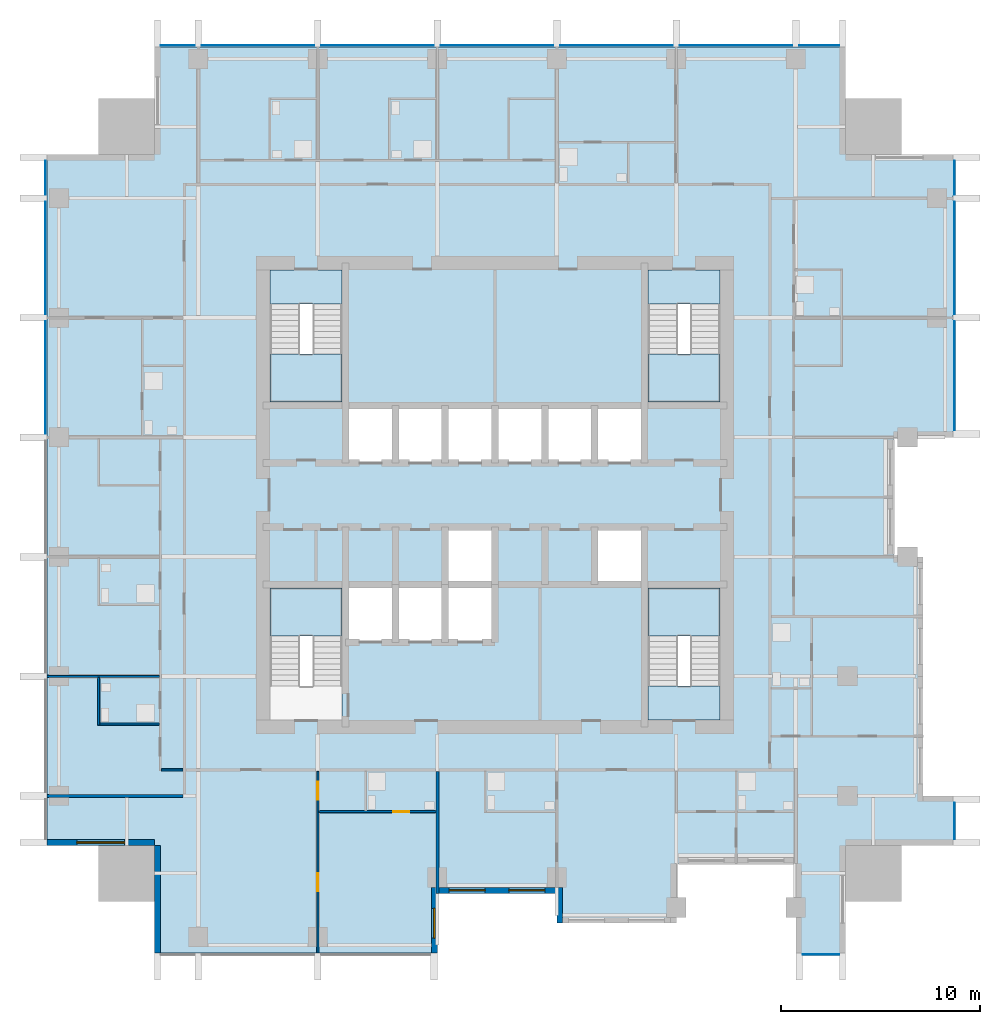
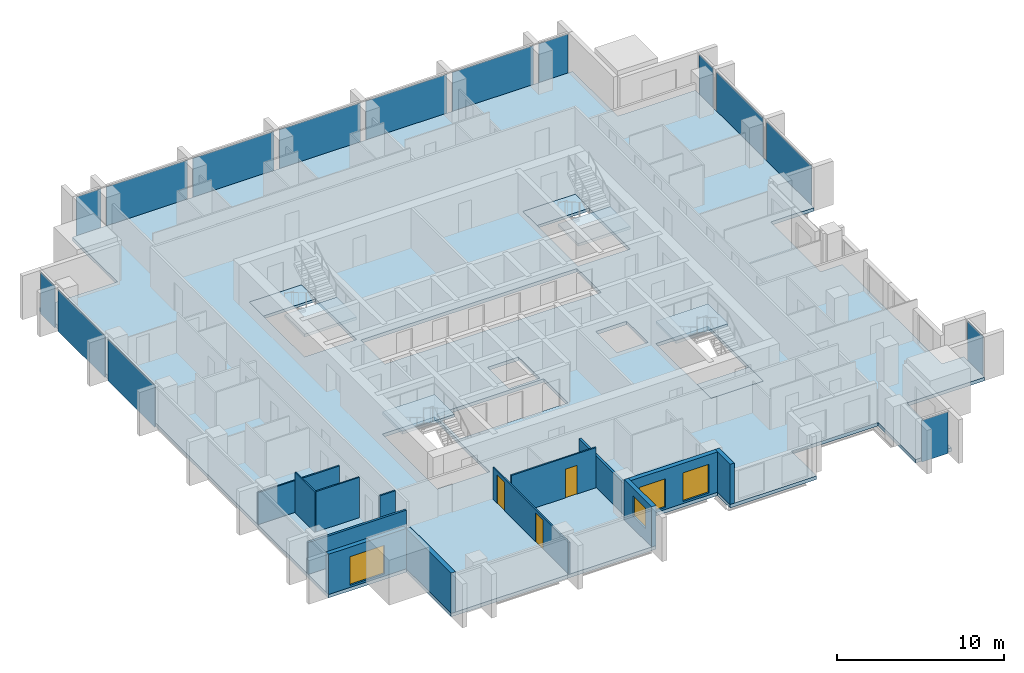
# One storey, part 3 of 10: 15 plates, 13 walls, 8 slabs, 4 windows, 3 doors, 7 openings, 9 elements without a shape of their own.
"""IFC4 building model written with IfcOpenShell, lengths in metres."""

from ifc_helpers import new_model, si_unit, direction, frame, frame_2d, origin, origin_2d, place, context, subcontext, project, spatial, polyline, rectangle, outline, extrude, material, layer, layer_set, type_object, element, fill, aggregate, save


model = new_model("IFC4")

# Units and contexts
model_context = context("Model", 3, precision=1e-05, world=origin(), true_north=direction((0.0, 1.0)))
body_context = subcontext(model_context, "Body", "Model", "MODEL_VIEW")
ifc_project = project(units=[si_unit("LENGTHUNIT", "METRE"), si_unit("AREAUNIT", "SQUARE_METRE"), si_unit("VOLUMEUNIT", "CUBIC_METRE"), si_unit("PLANEANGLEUNIT", "RADIAN"), si_unit("MASSUNIT", "GRAM", prefix="KILO")], contexts=[model_context])

# Site, building, storey
site_placement = place(None, origin())
site = spatial("IfcSite", under=ifc_project, at=site_placement, CompositionType="ELEMENT")
building_placement = place(site_placement, origin())
building = spatial("IfcBuilding", under=site, at=building_placement, Name="Amberfall Residences", CompositionType="ELEMENT")
storey_placement = place(building_placement, frame((0.0, 0.0, 174.699951171875)))
storey = spatial("IfcBuildingStorey", under=building, at=storey_placement, Name="L47", CompositionType="ELEMENT", Elevation=174.699951171875)

# Curtain wall, plate
ifc_material_1 = material(Name="Bronze anodised aluminium and glass", Category="aluminium")
curtain_wall_type = type_object("IfcCurtainWallType", Name="Curtain wall CW1 tower unit", PredefinedType="USERDEFINED", material=ifc_material_1)
curtain_wall_1_placement = place(storey_placement, origin())
curtain_wall_1 = element("IfcCurtainWall", 1, at=curtain_wall_1_placement, inside=storey, type_object=curtain_wall_type, Name="Curtain wall L47 S S9", ObjectType="UNITISED CURTAIN WALL", PredefinedType="USERDEFINED")
ifc_material_2 = material(Name="Tinted double glazed unit", Category="glass")
ifc_layer_1 = layer(ifc_material_2, 0.035888671875)
ifc_layer_set_1 = layer_set([ifc_layer_1], Name="CW1 panel 36 glazing")
plate_type = type_object("IfcPlateType", Name="CW1 panel 36 glazing", PredefinedType="CURTAIN_PANEL", material=ifc_layer_set_1)
plate_1_placement = place(storey_placement, frame((90.875, 22.425048828125, -0.25), z_axis=(0.0, 0.0, 1.0), x_axis=(1.0, 0.0, 0.0)))
plate_1 = element("IfcPlate", 2, at=plate_1_placement, type_object=plate_type, Name="CW1 panel 1.1", PredefinedType="CURTAIN_PANEL", context=body_context, shape_type="SweptSolid", body=[
    extrude(rectangle(XDim=1.825927734375, YDim=0.035888671875, at=origin_2d()), origin(), (0.0, 0.0, 1.0), 3.050048828125),
])
aggregate(curtain_wall_1, [plate_1])

curtain_wall_2_placement = place(storey_placement, origin())
curtain_wall_2 = element("IfcCurtainWall", 3, at=curtain_wall_2_placement, inside=storey, type_object=curtain_wall_type, Name="Curtain wall L47 E E1", ObjectType="UNITISED CURTAIN WALL", PredefinedType="USERDEFINED")
plate_2_placement = place(storey_placement, frame((97.574951171875, 29.125, -0.25), z_axis=(0.0, 0.0, 1.0), x_axis=(0.0, 1.0, 0.0)))
plate_2 = element("IfcPlate", 4, at=plate_2_placement, type_object=plate_type, Name="CW1 panel 1.1", PredefinedType="CURTAIN_PANEL", context=body_context, shape_type="SweptSolid", body=[
    extrude(rectangle(XDim=1.825927734375, YDim=0.035888671875, at=origin_2d()), origin(), (0.0, 0.0, 1.0), 3.050048828125),
])
aggregate(curtain_wall_2, [plate_2])

# Curtain wall, plates
curtain_wall_3_placement = place(storey_placement, origin())
curtain_wall_3 = element("IfcCurtainWall", 5, at=curtain_wall_3_placement, inside=storey, type_object=curtain_wall_type, Name="Curtain wall L47 E E8", ObjectType="UNITISED CURTAIN WALL", PredefinedType="USERDEFINED")
plate_3_placement = place(storey_placement, frame((97.574951171875, 51.487548828125, -0.25), z_axis=(0.0, 0.0, 1.0), x_axis=(0.0, 1.0, 0.0)))
plate_3 = element("IfcPlate", 6, at=plate_3_placement, type_object=plate_type, Name="CW1 panel 1.1", PredefinedType="CURTAIN_PANEL", context=body_context, shape_type="SweptSolid", body=[
    extrude(rectangle(XDim=5.450927734375, YDim=0.035888671875, at=origin_2d()), origin(), (0.0, 0.0, 1.0), 3.050048828125),
])
plate_4_placement = place(storey_placement, frame((97.574951171875, 57.39990234375, -0.25), z_axis=(0.0, 0.0, 1.0), x_axis=(0.0, 1.0, 0.0)))
plate_4 = element("IfcPlate", 7, at=plate_4_placement, type_object=plate_type, Name="CW1 panel 2.1", PredefinedType="CURTAIN_PANEL", context=body_context, shape_type="SweptSolid", body=[
    extrude(rectangle(XDim=5.6259765625, YDim=0.035888671875, at=origin_2d()), origin(), (0.0, 0.0, 1.0), 3.050048828125),
])
plate_5_placement = place(storey_placement, frame((97.574951171875, 61.4375, -0.25), z_axis=(0.0, 0.0, 1.0), x_axis=(0.0, 1.0, 0.0)))
plate_5 = element("IfcPlate", 8, at=plate_5_placement, type_object=plate_type, Name="CW1 panel 3.1", PredefinedType="CURTAIN_PANEL", context=body_context, shape_type="SweptSolid", body=[
    extrude(rectangle(XDim=1.700927734375, YDim=0.035888671875, at=origin_2d()), origin(), (0.0, 0.0, 1.0), 3.050048828125),
])
aggregate(curtain_wall_3, [plate_3, plate_4, plate_5])

curtain_wall_4_placement = place(storey_placement, origin())
curtain_wall_4 = element("IfcCurtainWall", 9, at=curtain_wall_4_placement, inside=storey, type_object=curtain_wall_type, Name="Curtain wall L47 N N1", ObjectType="UNITISED CURTAIN WALL", PredefinedType="USERDEFINED")
plate_6_placement = place(storey_placement, frame((90.78759765625, 68.074951171875, -0.25), z_axis=(0.0, 0.0, 1.0), x_axis=(-1.0, 0.0, 0.0)))
plate_6 = element("IfcPlate", 10, at=plate_6_placement, type_object=plate_type, Name="CW1 panel 1.1", PredefinedType="CURTAIN_PANEL", context=body_context, shape_type="SweptSolid", body=[
    extrude(rectangle(XDim=2.0009765625, YDim=0.035888671875, at=origin_2d()), origin(), (0.0, 0.0, 1.0), 3.050048828125),
])
plate_7_placement = place(storey_placement, frame((86.60009765625, 68.074951171875, -0.25), z_axis=(0.0, 0.0, 1.0), x_axis=(-1.0, 0.0, 0.0)))
plate_7 = element("IfcPlate", 11, at=plate_7_placement, type_object=plate_type, Name="CW1 panel 2.1", PredefinedType="CURTAIN_PANEL", context=body_context, shape_type="SweptSolid", body=[
    extrude(rectangle(XDim=5.6259765625, YDim=0.035888671875, at=origin_2d()), origin(), (0.0, 0.0, 1.0), 3.050048828125),
])
plate_8_placement = place(storey_placement, frame((80.60009765625, 68.074951171875, -0.25), z_axis=(0.0, 0.0, 1.0), x_axis=(-1.0, 0.0, 0.0)))
plate_8 = element("IfcPlate", 12, at=plate_8_placement, type_object=plate_type, Name="CW1 panel 3.1", PredefinedType="CURTAIN_PANEL", context=body_context, shape_type="SweptSolid", body=[
    extrude(rectangle(XDim=5.6259765625, YDim=0.035888671875, at=origin_2d()), origin(), (0.0, 0.0, 1.0), 3.050048828125),
])
plate_9_placement = place(storey_placement, frame((74.60009765625, 68.074951171875, -0.25), z_axis=(0.0, 0.0, 1.0), x_axis=(-1.0, 0.0, 0.0)))
plate_9 = element("IfcPlate", 13, at=plate_9_placement, type_object=plate_type, Name="CW1 panel 4.1", PredefinedType="CURTAIN_PANEL", context=body_context, shape_type="SweptSolid", body=[
    extrude(rectangle(XDim=5.6259765625, YDim=0.035888671875, at=origin_2d()), origin(), (0.0, 0.0, 1.0), 3.050048828125),
])
plate_10_placement = place(storey_placement, frame((68.60009765625, 68.074951171875, -0.25), z_axis=(0.0, 0.0, 1.0), x_axis=(-1.0, 0.0, 0.0)))
plate_10 = element("IfcPlate", 14, at=plate_10_placement, type_object=plate_type, Name="CW1 panel 5.1", PredefinedType="CURTAIN_PANEL", context=body_context, shape_type="SweptSolid", body=[
    extrude(rectangle(XDim=5.6259765625, YDim=0.035888671875, at=origin_2d()), origin(), (0.0, 0.0, 1.0), 3.050048828125),
])
plate_11_placement = place(storey_placement, frame((62.60009765625, 68.074951171875, -0.25), z_axis=(0.0, 0.0, 1.0), x_axis=(-1.0, 0.0, 0.0)))
plate_11 = element("IfcPlate", 15, at=plate_11_placement, type_object=plate_type, Name="CW1 panel 6.1", PredefinedType="CURTAIN_PANEL", context=body_context, shape_type="SweptSolid", body=[
    extrude(rectangle(XDim=5.6259765625, YDim=0.035888671875, at=origin_2d()), origin(), (0.0, 0.0, 1.0), 3.050048828125),
])
plate_12_placement = place(storey_placement, frame((58.5625, 68.074951171875, -0.25), z_axis=(0.0, 0.0, 1.0), x_axis=(-1.0, 0.0, 0.0)))
plate_12 = element("IfcPlate", 16, at=plate_12_placement, type_object=plate_type, Name="CW1 panel 7.1", PredefinedType="CURTAIN_PANEL", context=body_context, shape_type="SweptSolid", body=[
    extrude(rectangle(XDim=1.700927734375, YDim=0.035888671875, at=origin_2d()), origin(), (0.0, 0.0, 1.0), 3.050048828125),
])
aggregate(curtain_wall_4, [plate_6, plate_7, plate_8, plate_9, plate_10, plate_11, plate_12])

curtain_wall_5_placement = place(storey_placement, origin())
curtain_wall_5 = element("IfcCurtainWall", 17, at=curtain_wall_5_placement, inside=storey, type_object=curtain_wall_type, Name="Curtain wall L47 W W1", ObjectType="UNITISED CURTAIN WALL", PredefinedType="USERDEFINED")
plate_13_placement = place(storey_placement, frame((51.925048828125, 61.4375, -0.25), z_axis=(0.0, 0.0, 1.0), x_axis=(0.0, -1.0, 0.0)))
plate_13 = element("IfcPlate", 18, at=plate_13_placement, type_object=plate_type, Name="CW1 panel 1.1", PredefinedType="CURTAIN_PANEL", context=body_context, shape_type="SweptSolid", body=[
    extrude(rectangle(XDim=1.700927734375, YDim=0.035888671875, at=origin_2d()), origin(), (0.0, 0.0, 1.0), 3.050048828125),
])
plate_14_placement = place(storey_placement, frame((51.925048828125, 57.39990234375, -0.25), z_axis=(0.0, 0.0, 1.0), x_axis=(0.0, -1.0, 0.0)))
plate_14 = element("IfcPlate", 19, at=plate_14_placement, type_object=plate_type, Name="CW1 panel 2.1", PredefinedType="CURTAIN_PANEL", context=body_context, shape_type="SweptSolid", body=[
    extrude(rectangle(XDim=5.6259765625, YDim=0.035888671875, at=origin_2d()), origin(), (0.0, 0.0, 1.0), 3.050048828125),
])
plate_15_placement = place(storey_placement, frame((51.925048828125, 51.39990234375, -0.25), z_axis=(0.0, 0.0, 1.0), x_axis=(0.0, -1.0, 0.0)))
plate_15 = element("IfcPlate", 20, at=plate_15_placement, type_object=plate_type, Name="CW1 panel 3.1", PredefinedType="CURTAIN_PANEL", context=body_context, shape_type="SweptSolid", body=[
    extrude(rectangle(XDim=5.6259765625, YDim=0.035888671875, at=origin_2d()), origin(), (0.0, 0.0, 1.0), 3.050048828125),
])
aggregate(curtain_wall_5, [plate_13, plate_14, plate_15])

# Slab
ifc_material_3 = material(Name="Concrete C60", Category="concrete")
ifc_layer_2 = layer(ifc_material_3, 0.25)
ifc_layer_set_2 = layer_set([ifc_layer_2], Name="Floor slab 250 C60")
slab_type_1 = type_object("IfcSlabType", Name="Floor slab 250 C60", PredefinedType="FLOOR", material=ifc_layer_set_2)
slab_1_placement = place(storey_placement, frame((0.0, 0.0, -0.25)))
element("IfcSlab", 21, at=slab_1_placement, inside=storey, type_object=slab_type_1, Name="Floor slab S10 L47", PredefinedType="FLOOR", context=body_context, shape_type="SweptSolid", body=[
    extrude(outline(polyline([(89.60009765625, 22.5), (89.60009765625, 27.0), (83.60009765625, 27.0), (83.60009765625, 24.0), (77.60009765625, 24.0), (77.60009765625, 25.5), (71.60009765625, 25.5), (71.60009765625, 22.5), (57.39990234375, 22.5), (57.39990234375, 27.89990234375), (52.0, 27.89990234375), (52.0, 62.60009765625), (57.39990234375, 62.60009765625), (57.39990234375, 68.0), (92.10009765625, 68.0), (92.10009765625, 62.60009765625), (97.5, 62.60009765625), (97.5, 48.39990234375), (94.5, 48.39990234375), (94.5, 42.39990234375), (96.0, 42.39990234375), (96.0, 36.39990234375), (96.0, 30.39990234375), (97.5, 30.39990234375), (97.5, 27.89990234375), (92.10009765625, 27.89990234375), (92.10009765625, 22.5), (89.60009765625, 22.5)]), holes=[polyline([(85.800048828125, 34.199951171875), (85.800048828125, 40.824951171875), (82.175048828125, 40.824951171875), (82.175048828125, 34.199951171875), (85.800048828125, 34.199951171875)]), polyline([(85.800048828125, 50.175048828125), (85.800048828125, 56.800048828125), (82.175048828125, 56.800048828125), (82.175048828125, 50.175048828125), (85.800048828125, 50.175048828125)]), polyline([(72.0, 50.0), (69.5, 50.0), (67.0, 50.0), (67.0, 47.10009765625), (69.5, 47.10009765625), (72.0, 47.10009765625), (74.5, 47.10009765625), (77.0, 47.10009765625), (79.5, 47.10009765625), (82.0, 47.10009765625), (82.0, 50.0), (79.5, 50.0), (77.0, 50.0), (74.5, 50.0), (72.0, 50.0)]), polyline([(81.824951171875, 41.175048828125), (81.824951171875, 43.72509765625), (79.675048828125, 43.72509765625), (79.675048828125, 41.175048828125), (81.824951171875, 41.175048828125)]), polyline([(69.5, 41.0), (67.0, 41.0), (67.0, 38.10009765625), (69.5, 38.10009765625), (72.0, 38.10009765625), (74.5, 38.10009765625), (74.5, 41.0), (72.0, 41.0), (69.5, 41.0)]), polyline([(74.324951171875, 41.175048828125), (74.324951171875, 43.72509765625), (72.175048828125, 43.72509765625), (72.175048828125, 41.175048828125), (74.324951171875, 41.175048828125)]), polyline([(66.824951171875, 50.175048828125), (66.824951171875, 56.800048828125), (63.199951171875, 56.800048828125), (63.199951171875, 50.175048828125), (66.824951171875, 50.175048828125)]), polyline([(66.824951171875, 40.824951171875), (63.199951171875, 40.824951171875), (63.199951171875, 34.199951171875), (66.824951171875, 34.199951171875), (66.824951171875, 40.824951171875)])]), origin(), (0.0, 0.0, 1.0), 0.25),
])

# Stair, slab
ifc_material_4 = material(Name="Concrete C40", Category="concrete")
stair_type = type_object("IfcStairType", Name="Exit stair 20 risers 165.0 mm", PredefinedType="HALF_TURN_STAIR", material=ifc_material_4)
stair_1_placement = place(storey_placement, origin())
stair_1 = element("IfcStair", 22, at=stair_1_placement, inside=storey, type_object=stair_type, Name="L47 Exit stair 1", PredefinedType="HALF_TURN_STAIR")
ifc_layer_3 = layer(ifc_material_4, 0.199951171875)
ifc_layer_set_3 = layer_set([ifc_layer_3], Name="Stair landing 200")
slab_type_2 = type_object("IfcSlabType", Name="Stair landing 200", PredefinedType="LANDING", material=ifc_layer_set_3)
slab_2_placement = place(storey_placement, frame((0.0, 0.0, 1.449951171875)))
slab_2 = element("IfcSlab", 23, at=slab_2_placement, type_object=slab_type_2, Name="ST3 landing 1", PredefinedType="LANDING", context=body_context, shape_type="SweptSolid", body=[
    extrude(outline(polyline([(66.824951171875, 38.419921875), (66.824951171875, 40.824951171875), (63.199951171875, 40.824951171875), (63.199951171875, 38.419921875), (66.824951171875, 38.419921875)])), origin(), (0.0, 0.0, 1.0), 0.2001953125),
])
aggregate(stair_1, [slab_2])

# Stair, slabs
stair_2_placement = place(storey_placement, origin())
stair_2 = element("IfcStair", 24, at=stair_2_placement, inside=storey, type_object=stair_type, Name="L47 Exit stair 2", PredefinedType="HALF_TURN_STAIR")
slab_3_placement = place(storey_placement, frame((0.0, 0.0, 1.449951171875)))
slab_3 = element("IfcSlab", 25, at=slab_3_placement, type_object=slab_type_2, Name="ST3 landing 1", PredefinedType="LANDING", context=body_context, shape_type="SweptSolid", body=[
    extrude(outline(polyline([(85.800048828125, 38.419921875), (85.800048828125, 40.824951171875), (82.175048828125, 40.824951171875), (82.175048828125, 38.419921875), (85.800048828125, 38.419921875)])), origin(), (0.0, 0.0, 1.0), 0.2001953125),
])
slab_4_placement = place(storey_placement, frame((0.0, 0.0, -0.199951171875)))
slab_4 = element("IfcSlab", 26, at=slab_4_placement, type_object=slab_type_2, Name="ST3 landing 2", PredefinedType="LANDING", context=body_context, shape_type="SweptSolid", body=[
    extrude(outline(polyline([(85.800048828125, 34.199951171875), (85.800048828125, 35.89990234375), (82.175048828125, 35.89990234375), (82.175048828125, 34.199951171875), (85.800048828125, 34.199951171875)])), origin(), (0.0, 0.0, 1.0), 0.199951171875),
])
aggregate(stair_2, [slab_3, slab_4])

stair_3_placement = place(storey_placement, origin())
stair_3 = element("IfcStair", 27, at=stair_3_placement, inside=storey, type_object=stair_type, Name="L47 Exit stair 3", PredefinedType="HALF_TURN_STAIR")
slab_5_placement = place(storey_placement, frame((0.0, 0.0, 1.449951171875)))
slab_5 = element("IfcSlab", 28, at=slab_5_placement, type_object=slab_type_2, Name="ST3 landing 1", PredefinedType="LANDING", context=body_context, shape_type="SweptSolid", body=[
    extrude(outline(polyline([(82.175048828125, 52.580078125), (82.175048828125, 50.175048828125), (85.800048828125, 50.175048828125), (85.800048828125, 52.580078125), (82.175048828125, 52.580078125)])), origin(), (0.0, 0.0, 1.0), 0.2001953125),
])
slab_6_placement = place(storey_placement, frame((0.0, 0.0, -0.199951171875)))
slab_6 = element("IfcSlab", 29, at=slab_6_placement, type_object=slab_type_2, Name="ST3 landing 2", PredefinedType="LANDING", context=body_context, shape_type="SweptSolid", body=[
    extrude(outline(polyline([(82.175048828125, 56.800048828125), (82.175048828125, 55.10009765625), (85.800048828125, 55.10009765625), (85.800048828125, 56.800048828125), (82.175048828125, 56.800048828125)])), origin(), (0.0, 0.0, 1.0), 0.199951171875),
])
aggregate(stair_3, [slab_5, slab_6])

stair_4_placement = place(storey_placement, origin())
stair_4 = element("IfcStair", 30, at=stair_4_placement, inside=storey, type_object=stair_type, Name="L47 Exit stair 4", PredefinedType="HALF_TURN_STAIR")
slab_7_placement = place(storey_placement, frame((0.0, 0.0, 1.449951171875)))
slab_7 = element("IfcSlab", 31, at=slab_7_placement, type_object=slab_type_2, Name="ST3 landing 1", PredefinedType="LANDING", context=body_context, shape_type="SweptSolid", body=[
    extrude(outline(polyline([(63.199951171875, 52.580078125), (63.199951171875, 50.175048828125), (66.824951171875, 50.175048828125), (66.824951171875, 52.580078125), (63.199951171875, 52.580078125)])), origin(), (0.0, 0.0, 1.0), 0.2001953125),
])
slab_8_placement = place(storey_placement, frame((0.0, 0.0, -0.199951171875)))
slab_8 = element("IfcSlab", 32, at=slab_8_placement, type_object=slab_type_2, Name="ST3 landing 2", PredefinedType="LANDING", context=body_context, shape_type="SweptSolid", body=[
    extrude(outline(polyline([(63.199951171875, 56.800048828125), (63.199951171875, 55.10009765625), (66.824951171875, 55.10009765625), (66.824951171875, 56.800048828125), (63.199951171875, 56.800048828125)])), origin(), (0.0, 0.0, 1.0), 0.199951171875),
])
aggregate(stair_4, [slab_7, slab_8])

# Wall, opening, window
ifc_material_5 = material(Name="Pale stone cladding on insulated backing", Category="masonry")
ifc_layer_4 = layer(ifc_material_5, 0.300048828125)
ifc_layer_set_4 = layer_set([ifc_layer_4], Name="Bronze clad wall 300")
wall_type_1 = type_object("IfcWallType", Name="Bronze clad wall 300", PredefinedType="SOLIDWALL", material=ifc_layer_set_4)
wall_1_placement = place(storey_placement, frame((71.449951171875, 22.5, 0.0), z_axis=(0.0, 0.0, 1.0), x_axis=(0.0, 1.0, 0.0)))
wall_1 = element("IfcWall", 33, at=wall_1_placement, inside=storey, type_object=wall_type_1, Name="External wall L47 S", PredefinedType="SOLIDWALL", context=body_context, shape_type="SweptSolid", body=[
    extrude(rectangle(XDim=3.300048828125, YDim=0.300048828125, at=frame_2d((1.64990234375, 0.0))), origin(), (0.0, 0.0, 1.0), 2.949951171875),
])
opening_1_placement = place(wall_1_placement, frame((0.75, 0.0, 0.89990234375)))
opening_1 = element("IfcOpeningElement", 34, at=opening_1_placement, cuts=wall_1, Name="Opening WN1", PredefinedType="OPENING", context=body_context, shape_type="SweptSolid", body=[
    extrude(rectangle(XDim=1.5, YDim=1.5, at=frame_2d((0.75, 0.75))), frame((0.0, 0.159912109375, 0.0), z_axis=(0.0, -1.0, 0.0), x_axis=(1.0, 0.0, 0.0)), (0.0, 0.0, 1.0), 0.320068359375),
])
ifc_material_6 = material(Name="Bronze aluminium framed glazing", Category="aluminium")
window_type_1 = type_object("IfcWindowType", Name="Window 1500 x 1500 bronze", PartitioningType="DOUBLE_PANEL_VERTICAL", PredefinedType="WINDOW", material=ifc_material_6)
window_1_placement = place(opening_1_placement, origin())
window_1 = element("IfcWindow", 35, at=window_1_placement, inside=storey, type_object=window_type_1, Name="Window L47 S", OverallHeight=1.5, OverallWidth=1.5, PartitioningType="DOUBLE_PANEL_VERTICAL", PredefinedType="WINDOW", context=body_context, shape_type="SweptSolid", body=[
    extrude(rectangle(XDim=1.5, YDim=1.5, at=frame_2d((0.75, 0.75))), frame((0.0, 0.030029296875, 0.0), z_axis=(0.0, -1.0, 0.0), x_axis=(1.0, 0.0, 0.0)), (0.0, 0.0, 1.0), 0.06005859375),
])
fill(opening_1, window_1)

# Wall
wall_2_placement = place(storey_placement, frame((77.75, 25.800048828125, 0.0), z_axis=(0.0, 0.0, 1.0), x_axis=(0.0, -1.0, 0.0)))
element("IfcWall", 36, at=wall_2_placement, inside=storey, type_object=wall_type_1, Name="External wall L47 S", PredefinedType="SOLIDWALL", context=body_context, shape_type="SweptSolid", body=[
    extrude(rectangle(XDim=1.800048828125, YDim=0.300048828125, at=frame_2d((0.89990234375, 0.0))), origin(), (0.0, 0.0, 1.0), 2.949951171875),
])

# Wall, opening, window
wall_3_placement = place(storey_placement, frame((52.0, 28.050048828125, 0.0), z_axis=(0.0, 0.0, 1.0), x_axis=(1.0, 0.0, 0.0)))
wall_3 = element("IfcWall", 37, at=wall_3_placement, inside=storey, type_object=wall_type_1, Name="External wall L47 SW", PredefinedType="SOLIDWALL", context=body_context, shape_type="SweptSolid", body=[
    extrude(rectangle(XDim=5.39990234375, YDim=0.300048828125, at=frame_2d((2.699951171875, 0.0))), origin(), (0.0, 0.0, 1.0), 2.949951171875),
])
opening_2_placement = place(wall_3_placement, frame((1.5, 0.0, 0.14990234375)))
opening_2 = element("IfcOpeningElement", 38, at=opening_2_placement, cuts=wall_3, Name="Opening WN5", PredefinedType="OPENING", context=body_context, shape_type="SweptSolid", body=[
    extrude(rectangle(XDim=2.39990234375, YDim=2.10009765625, at=frame_2d((1.199951171875, 1.050048828125))), frame((0.0, 0.159912109375, 0.0), z_axis=(0.0, -1.0, 0.0), x_axis=(1.0, 0.0, 0.0)), (0.0, 0.0, 1.0), 0.320068359375),
])
window_type_2 = type_object("IfcWindowType", Name="Glazed opening 2400 x 2100 bronze", PartitioningType="DOUBLE_PANEL_VERTICAL", PredefinedType="WINDOW", material=ifc_material_6)
window_2_placement = place(opening_2_placement, origin())
window_2 = element("IfcWindow", 39, at=window_2_placement, inside=storey, type_object=window_type_2, Name="Window L47 SW", OverallHeight=2.10009765625, OverallWidth=2.39990234375, PartitioningType="DOUBLE_PANEL_VERTICAL", PredefinedType="WINDOW", context=body_context, shape_type="SweptSolid", body=[
    extrude(rectangle(XDim=2.39990234375, YDim=2.10009765625, at=frame_2d((1.199951171875, 1.050048828125))), frame((0.0, 0.030029296875, 0.0), z_axis=(0.0, -1.0, 0.0), x_axis=(1.0, 0.0, 0.0)), (0.0, 0.0, 1.0), 0.06005859375),
])
fill(opening_2, window_2)

# Wall
wall_4_placement = place(storey_placement, frame((57.550048828125, 27.89990234375, 0.0), z_axis=(0.0, 0.0, 1.0), x_axis=(0.0, -1.0, 0.0)))
element("IfcWall", 40, at=wall_4_placement, inside=storey, type_object=wall_type_1, Name="External wall L47 SW", PredefinedType="SOLIDWALL", context=body_context, shape_type="SweptSolid", body=[
    extrude(rectangle(XDim=5.39990234375, YDim=0.300048828125, at=frame_2d((2.699951171875, 0.0))), origin(), (0.0, 0.0, 1.0), 2.949951171875),
])

# Wall, openings, windows
wall_5_placement = place(storey_placement, frame((71.60009765625, 25.64990234375, 0.0), z_axis=(0.0, 0.0, 1.0), x_axis=(1.0, 0.0, 0.0)))
wall_5 = element("IfcWall", 41, at=wall_5_placement, inside=storey, type_object=wall_type_1, Name="Stone wall L47 S", PredefinedType="SOLIDWALL", context=body_context, shape_type="SweptSolid", body=[
    extrude(rectangle(XDim=6.0, YDim=0.300048828125, at=frame_2d((3.0, 0.0))), origin(), (0.0, 0.0, 1.0), 2.949951171875),
])
opening_3_placement = place(wall_5_placement, frame((0.60009765625, 0.0, 0.14990234375)))
opening_3 = element("IfcOpeningElement", 42, at=opening_3_placement, cuts=wall_5, Name="Opening WN6", PredefinedType="OPENING", context=body_context, shape_type="SweptSolid", body=[
    extrude(rectangle(XDim=1.800048828125, YDim=2.10009765625, at=frame_2d((0.89990234375, 1.050048828125))), frame((0.0, 0.159912109375, 0.0), z_axis=(0.0, -1.0, 0.0), x_axis=(1.0, 0.0, 0.0)), (0.0, 0.0, 1.0), 0.320068359375),
])
opening_4_placement = place(wall_5_placement, frame((3.60009765625, 0.0, 0.14990234375)))
opening_4 = element("IfcOpeningElement", 43, at=opening_4_placement, cuts=wall_5, Name="Opening WN6", PredefinedType="OPENING", context=body_context, shape_type="SweptSolid", body=[
    extrude(rectangle(XDim=1.800048828125, YDim=2.10009765625, at=frame_2d((0.89990234375, 1.050048828125))), frame((0.0, 0.159912109375, 0.0), z_axis=(0.0, -1.0, 0.0), x_axis=(1.0, 0.0, 0.0)), (0.0, 0.0, 1.0), 0.320068359375),
])
window_type_3 = type_object("IfcWindowType", Name="Glazed opening 1800 x 2100 bronze", PartitioningType="DOUBLE_PANEL_VERTICAL", PredefinedType="WINDOW", material=ifc_material_6)
window_3_placement = place(opening_3_placement, origin())
window_3 = element("IfcWindow", 44, at=window_3_placement, inside=storey, type_object=window_type_3, Name="Window L47 S", OverallHeight=2.10009765625, OverallWidth=1.800048828125, PartitioningType="DOUBLE_PANEL_VERTICAL", PredefinedType="WINDOW", context=body_context, shape_type="SweptSolid", body=[
    extrude(rectangle(XDim=1.800048828125, YDim=2.10009765625, at=frame_2d((0.89990234375, 1.050048828125))), frame((0.0, 0.030029296875, 0.0), z_axis=(0.0, -1.0, 0.0), x_axis=(1.0, 0.0, 0.0)), (0.0, 0.0, 1.0), 0.06005859375),
])
fill(opening_3, window_3)
window_4_placement = place(opening_4_placement, origin())
window_4 = element("IfcWindow", 45, at=window_4_placement, inside=storey, type_object=window_type_3, Name="Window L47 S", OverallHeight=2.10009765625, OverallWidth=1.800048828125, PartitioningType="DOUBLE_PANEL_VERTICAL", PredefinedType="WINDOW", context=body_context, shape_type="SweptSolid", body=[
    extrude(rectangle(XDim=1.800048828125, YDim=2.10009765625, at=frame_2d((0.89990234375, 1.050048828125))), frame((0.0, 0.030029296875, 0.0), z_axis=(0.0, -1.0, 0.0), x_axis=(1.0, 0.0, 0.0)), (0.0, 0.0, 1.0), 0.06005859375),
])
fill(opening_4, window_4)

# Wall
ifc_material_7 = material(Name="Gypsum board on metal stud")
ifc_layer_5 = layer(ifc_material_7, 0.10009765625)
ifc_layer_set_5 = layer_set([ifc_layer_5], Name="Flat partition 100")
wall_type_2 = type_object("IfcWallType", Name="Flat partition 100", PredefinedType="PARTITIONING", material=ifc_layer_set_5)
wall_6_placement = place(storey_placement, frame((54.60009765625, 33.949951171875, 0.0), z_axis=(0.0, 0.0, 1.0), x_axis=(0.0, 1.0, 0.0)))
element("IfcWall", 46, at=wall_6_placement, inside=storey, type_object=wall_type_2, Name="Partition 001", PredefinedType="PARTITIONING", context=body_context, shape_type="SweptSolid", body=[
    extrude(rectangle(XDim=2.400146484375, YDim=0.10009765625, at=frame_2d((1.2001953125, 0.0))), origin(), (0.0, 0.0, 1.0), 2.949951171875),
])

# Wall, openings, doors
wall_7_placement = place(storey_placement, frame((65.60009765625, 31.625, 0.0), z_axis=(0.0, 0.0, 1.0), x_axis=(0.0, -1.0, 0.0)))
wall_7 = element("IfcWall", 47, at=wall_7_placement, inside=storey, type_object=wall_type_2, Name="Partition 007", PredefinedType="PARTITIONING", context=body_context, shape_type="SweptSolid", body=[
    extrude(rectangle(XDim=9.125, YDim=0.10009765625, at=frame_2d((4.5625, 0.0))), origin(), (0.0, 0.0, 1.0), 2.33203125),
])
opening_5_placement = place(wall_7_placement, frame((0.52490234375, 0.0, 0.0)))
opening_5 = element("IfcOpeningElement", 48, at=opening_5_placement, cuts=wall_7, Name="Opening D41", PredefinedType="OPENING", context=body_context, shape_type="SweptSolid", body=[
    extrude(rectangle(XDim=0.89990234375, YDim=2.10009765625, at=frame_2d((0.449951171875, 1.050048828125))), frame((0.0, 0.06005859375, 0.0), z_axis=(0.0, -1.0, 0.0), x_axis=(1.0, 0.0, 0.0)), (0.0, 0.0, 1.0), 0.1201171875),
])
opening_6_placement = place(wall_7_placement, frame((5.125, 0.0, 0.0)))
opening_6 = element("IfcOpeningElement", 49, at=opening_6_placement, cuts=wall_7, Name="Opening D41", PredefinedType="OPENING", context=body_context, shape_type="SweptSolid", body=[
    extrude(rectangle(XDim=0.89990234375, YDim=2.10009765625, at=frame_2d((0.449951171875, 1.050048828125))), frame((0.0, 0.06005859375, 0.0), z_axis=(0.0, -1.0, 0.0), x_axis=(1.0, 0.0, 0.0)), (0.0, 0.0, 1.0), 0.1201171875),
])
ifc_material_8 = material(Name="Timber", Category="wood")
door_type_1 = type_object("IfcDoorType", Name="Internal door 900 x 2100", OperationType="SINGLE_SWING_LEFT", PredefinedType="DOOR", material=ifc_material_8)
door_1_placement = place(opening_5_placement, origin())
door_1 = element("IfcDoor", 50, at=door_1_placement, inside=storey, type_object=door_type_1, Name="Door 4701 kitchen", OperationType="SINGLE_SWING_LEFT", OverallHeight=2.10009765625, OverallWidth=0.89990234375, PredefinedType="DOOR", context=body_context, shape_type="SweptSolid", body=[
    extrude(rectangle(XDim=0.89990234375, YDim=2.10009765625, at=frame_2d((0.449951171875, 1.050048828125))), frame((0.0, 0.02490234375, 0.0), z_axis=(0.0, -1.0, 0.0), x_axis=(1.0, 0.0, 0.0)), (0.0, 0.0, 1.0), 0.050048828125),
])
fill(opening_5, door_1)
door_2_placement = place(opening_6_placement, origin())
door_2 = element("IfcDoor", 51, at=door_2_placement, inside=storey, type_object=door_type_1, Name="Door 4701 bedroom1", OperationType="SINGLE_SWING_LEFT", OverallHeight=2.10009765625, OverallWidth=0.89990234375, PredefinedType="DOOR", context=body_context, shape_type="SweptSolid", body=[
    extrude(rectangle(XDim=0.89990234375, YDim=2.10009765625, at=frame_2d((0.449951171875, 1.050048828125))), frame((0.0, 0.02490234375, 0.0), z_axis=(0.0, -1.0, 0.0), x_axis=(1.0, 0.0, 0.0)), (0.0, 0.0, 1.0), 0.050048828125),
])
fill(opening_6, door_2)

# Walls
wall_8_placement = place(storey_placement, frame((52.0, 36.39990234375, 0.0), z_axis=(0.0, 0.0, 1.0), x_axis=(1.0, 0.0, 0.0)))
element("IfcWall", 52, at=wall_8_placement, inside=storey, type_object=wall_type_2, Name="Partition 038", PredefinedType="PARTITIONING", context=body_context, shape_type="SweptSolid", body=[
    extrude(rectangle(XDim=5.64990234375, YDim=0.10009765625, at=frame_2d((2.824951171875, 0.0))), origin(), (0.0, 0.0, 1.0), 2.33203125),
])
wall_9_placement = place(storey_placement, frame((54.64990234375, 34.0, 0.0), z_axis=(0.0, 0.0, 1.0), x_axis=(1.0, 0.0, 0.0)))
element("IfcWall", 53, at=wall_9_placement, inside=storey, type_object=wall_type_2, Name="Partition 040", PredefinedType="PARTITIONING", context=body_context, shape_type="SweptSolid", body=[
    extrude(rectangle(XDim=3.0, YDim=0.10009765625, at=frame_2d((1.5, 0.0))), origin(), (0.0, 0.0, 1.0), 2.949951171875),
])
wall_10_placement = place(storey_placement, frame((57.75, 31.699951171875, 0.0), z_axis=(0.0, 0.0, 1.0), x_axis=(1.0, 0.0, 0.0)))
element("IfcWall", 54, at=wall_10_placement, inside=storey, type_object=wall_type_2, Name="Partition 042", PredefinedType="PARTITIONING", context=body_context, shape_type="SweptSolid", body=[
    extrude(rectangle(XDim=1.074951171875, YDim=0.10009765625, at=frame_2d((0.53759765625, 0.0))), origin(), (0.0, 0.0, 1.0), 2.949951171875),
])

# Wall, opening, door
wall_11_placement = place(storey_placement, frame((65.64990234375, 29.60009765625, 0.0), z_axis=(0.0, 0.0, 1.0), x_axis=(1.0, 0.0, 0.0)))
wall_11 = element("IfcWall", 55, at=wall_11_placement, inside=storey, type_object=wall_type_2, Name="Partition 043", PredefinedType="PARTITIONING", context=body_context, shape_type="SweptSolid", body=[
    extrude(rectangle(XDim=5.875, YDim=0.10009765625, at=frame_2d((2.9375, 0.0))), origin(), (0.0, 0.0, 1.0), 2.949951171875),
])
opening_7_placement = place(wall_11_placement, frame((3.75, 0.0, 0.0)))
opening_7 = element("IfcOpeningElement", 56, at=opening_7_placement, cuts=wall_11, Name="Opening D42", PredefinedType="OPENING", context=body_context, shape_type="SweptSolid", body=[
    extrude(rectangle(XDim=0.800048828125, YDim=2.10009765625, at=frame_2d((0.39990234375, 1.050048828125))), frame((0.0, 0.06005859375, 0.0), z_axis=(0.0, -1.0, 0.0), x_axis=(1.0, 0.0, 0.0)), (0.0, 0.0, 1.0), 0.1201171875),
])
door_type_2 = type_object("IfcDoorType", Name="Bathroom door 800 x 2100", OperationType="SINGLE_SWING_LEFT", PredefinedType="DOOR", material=ifc_material_8)
door_3_placement = place(opening_7_placement, origin())
door_3 = element("IfcDoor", 57, at=door_3_placement, inside=storey, type_object=door_type_2, Name="Door 4701 bath1", OperationType="SINGLE_SWING_LEFT", OverallHeight=2.10009765625, OverallWidth=0.800048828125, PredefinedType="DOOR", context=body_context, shape_type="SweptSolid", body=[
    extrude(rectangle(XDim=0.800048828125, YDim=2.10009765625, at=frame_2d((0.39990234375, 1.050048828125))), frame((0.0, 0.02490234375, 0.0), z_axis=(0.0, -1.0, 0.0), x_axis=(1.0, 0.0, 0.0)), (0.0, 0.0, 1.0), 0.050048828125),
])
fill(opening_7, door_3)

# Walls
ifc_material_9 = material(Name="Blockwork, plastered", Category="masonry")
ifc_layer_6 = layer(ifc_material_9, 0.14990234375)
ifc_layer_set_6 = layer_set([ifc_layer_6], Name="Flat separating wall 150")
wall_type_3 = type_object("IfcWallType", Name="Flat separating wall 150", PredefinedType="PARTITIONING", material=ifc_layer_set_6)
wall_12_placement = place(storey_placement, frame((71.60009765625, 25.5, 0.0), z_axis=(0.0, 0.0, 1.0), x_axis=(0.0, 1.0, 0.0)))
element("IfcWall", 58, at=wall_12_placement, inside=storey, type_object=wall_type_3, Name="Separating wall 048", PredefinedType="PARTITIONING", context=body_context, shape_type="SweptSolid", body=[
    extrude(rectangle(XDim=6.125, YDim=0.14990234375, at=frame_2d((3.0625, 0.0))), origin(), (0.0, 0.0, 1.0), 2.33203125),
])
wall_13_placement = place(storey_placement, frame((52.0, 30.39990234375, 0.0), z_axis=(0.0, 0.0, 1.0), x_axis=(1.0, 0.0, 0.0)))
element("IfcWall", 59, at=wall_13_placement, inside=storey, type_object=wall_type_3, Name="Separating wall 057", PredefinedType="PARTITIONING", context=body_context, shape_type="SweptSolid", body=[
    extrude(rectangle(XDim=6.824951171875, YDim=0.14990234375, at=frame_2d((3.41259765625, 0.0))), origin(), (0.0, 0.0, 1.0), 2.33203125),
])

save(model, "model.ifc")
